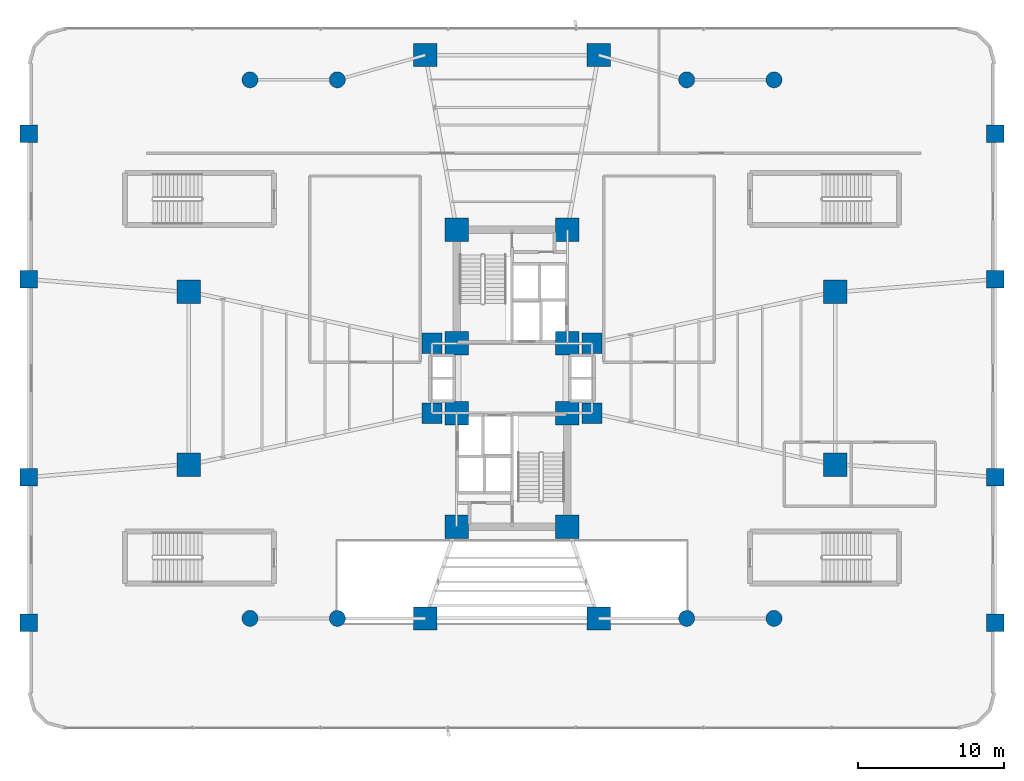
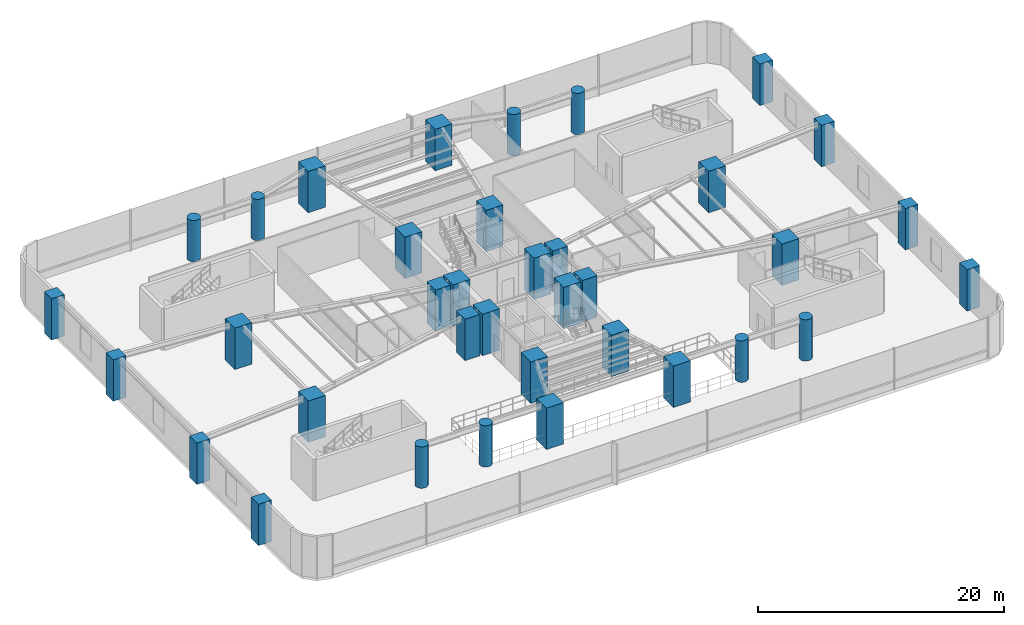
# One storey, part 1 of 23: 36 columns.
"""IFC4 building model written with IfcOpenShell, lengths in metres."""

from ifc_helpers import new_model, si_unit, direction, frame, origin, origin_2d, place, context, subcontext, project, spatial, rectangle, circle, extrude, source, transform, mapped, material, material_profile, profile_set, type_object, element, save


model = new_model("IFC4")

# Units and contexts
model_context = context("Model", 3, precision=1e-05, world=origin(), true_north=direction((0.0, 1.0)))
body_context = subcontext(model_context, "Body", "Model", "MODEL_VIEW")
ifc_project = project(units=[si_unit("LENGTHUNIT", "METRE"), si_unit("AREAUNIT", "SQUARE_METRE"), si_unit("VOLUMEUNIT", "CUBIC_METRE"), si_unit("PLANEANGLEUNIT", "RADIAN"), si_unit("MASSUNIT", "GRAM", prefix="KILO")], contexts=[model_context])

# Site, building, storey
site_placement = place(None, origin())
site = spatial("IfcSite", under=ifc_project, at=site_placement, CompositionType="ELEMENT")
building_placement = place(site_placement, origin())
building = spatial("IfcBuilding", under=site, at=building_placement, Name="Sahyath Konkavel Grand Hotel", CompositionType="ELEMENT")
storey_placement = place(building_placement, frame((0.0, 0.0, 4.800048828125)))
storey = spatial("IfcBuildingStorey", under=building, at=storey_placement, Name="L01", CompositionType="ELEMENT", Elevation=4.800048828125)

# Columns
ifc_material_1 = material(Name="Concrete C70/85", Category="concrete")
ifc_material_profile_1 = material_profile(ifc_material_1, rectangle(XDim=1.60009765625, YDim=1.60009765625, at=origin_2d()), Name="RC 1600x1600")
ifc_profile_set_1 = profile_set([ifc_material_profile_1], Name="Concrete C70/85")
column_type_1 = type_object("IfcColumnType", Name="COL-RC1600", PredefinedType="COLUMN", material=ifc_profile_set_1)
shared_shape_1 = source(origin(), body_context, "Body", "SweptSolid", [
    extrude(rectangle(XDim=1.60009765625, YDim=1.60009765625, at=origin_2d()), origin(), (0.0, 0.0, 1.0), 4.099853515625),
])
for number, where, z_axis, x_axis, name in (
    (1, (-3.800048828125, 2.39990234375, 0.0), (0.0, 0.0, 1.0), (1.0, 0.0, 0.0), "L01 Core Boundary Column NC-SW"),
    (2, (3.800048828125, 2.39990234375, 0.0), (0.0, 0.0, 1.0), (1.0, 0.0, 0.0), "L01 Core Boundary Column NC-SE"),
    (3, (-3.800048828125, 10.199951171875, 0.0), (0.0, 0.0, 1.0), (1.0, 0.0, 0.0), "L01 Core Boundary Column NC-NW"),
    (4, (3.800048828125, 10.199951171875, 0.0), (0.0, 0.0, 1.0), (1.0, 0.0, 0.0), "L01 Core Boundary Column NC-NE"),
    (5, (-3.800048828125, -2.39990234375, 0.0), (0.0, 0.0, 1.0), (1.0, 0.0, 0.0), "L01 Core Boundary Column SC-NW"),
    (6, (3.800048828125, -2.39990234375, 0.0), (0.0, 0.0, 1.0), (1.0, 0.0, 0.0), "L01 Core Boundary Column SC-NE"),
    (7, (-3.800048828125, -10.199951171875, 0.0), (0.0, 0.0, 1.0), (1.0, 0.0, 0.0), "L01 Core Boundary Column SC-SW"),
    (8, (3.800048828125, -10.199951171875, 0.0), (0.0, 0.0, 1.0), (1.0, 0.0, 0.0), "L01 Core Boundary Column SC-SE"),
    (9, (22.199951171875, -5.949951171875, 0.0), (0.0, 0.0, 1.0), (1.0, 0.0, 0.0), "L01 Ballroom Mega-Column MC-EA"),
    (10, (22.199951171875, 5.949951171875, 0.0), (0.0, 0.0, 1.0), (1.0, 0.0, 0.0), "L01 Ballroom Mega-Column MC-EB"),
    (11, (5.949951171875, 22.199951171875, 0.0), (0.0, 0.0, 1.0), (1.0, 0.0, 0.0), "L01 Ballroom Mega-Column MC-NA"),
    (12, (-5.949951171875, 22.199951171875, 0.0), (0.0, 0.0, 1.0), (1.0, 0.0, 0.0), "L01 Ballroom Mega-Column MC-NB"),
    (13, (-22.199951171875, 5.949951171875, 0.0), (0.0, 0.0, 1.0), (1.0, 0.0, 0.0), "L01 Ballroom Mega-Column MC-WA"),
    (14, (-22.199951171875, -5.949951171875, 0.0), (0.0, 0.0, 1.0), (1.0, 0.0, 0.0), "L01 Ballroom Mega-Column MC-WB"),
    (15, (-5.949951171875, -16.5, 0.0), (0.0, 0.0, 1.0), (1.0, 0.0, 0.0), "L01 Ballroom Mega-Column MC-SA"),
    (16, (5.949951171875, -16.5, 0.0), (0.0, 0.0, 1.0), (1.0, 0.0, 0.0), "L01 Ballroom Mega-Column MC-SB"),
):
    element("IfcColumn", number, at=place(storey_placement, frame(where, z_axis=z_axis, x_axis=x_axis)), inside=storey, type_object=column_type_1, Name=name, PredefinedType="COLUMN", context=body_context, shape_type="MappedRepresentation", body=[
        mapped(shared_shape_1, transform((0.0, 0.0, 0.0), scale=1.0)),
    ])
ifc_material_profile_2 = material_profile(ifc_material_1, rectangle(XDim=1.39990234375, YDim=1.39990234375, at=origin_2d()), Name="RC 1400x1400")
ifc_profile_set_2 = profile_set([ifc_material_profile_2], Name="Concrete C70/85")
column_type_2 = type_object("IfcColumnType", Name="COL-RC1400", PredefinedType="COLUMN", material=ifc_profile_set_2)
shared_shape_2 = source(origin(), body_context, "Body", "SweptSolid", [
    extrude(rectangle(XDim=1.39990234375, YDim=1.39990234375, at=origin_2d()), origin(), (0.0, 0.0, 1.0), 4.099853515625),
])
for number, where, z_axis, x_axis, name in (
    (17, (5.5, 2.39990234375, 0.0), (0.0, 0.0, 1.0), (1.0, 0.0, 0.0), "L01 Central Spine Column HB-NE"),
    (18, (-5.5, 2.39990234375, 0.0), (0.0, 0.0, 1.0), (1.0, 0.0, 0.0), "L01 Central Spine Column HB-NW"),
    (19, (5.5, -2.39990234375, 0.0), (0.0, 0.0, 1.0), (1.0, 0.0, 0.0), "L01 Central Spine Column HB-SE"),
    (20, (-5.5, -2.39990234375, 0.0), (0.0, 0.0, 1.0), (1.0, 0.0, 0.0), "L01 Central Spine Column HB-SW"),
):
    element("IfcColumn", number, at=place(storey_placement, frame(where, z_axis=z_axis, x_axis=x_axis)), inside=storey, type_object=column_type_2, Name=name, PredefinedType="COLUMN", context=body_context, shape_type="MappedRepresentation", body=[
        mapped(shared_shape_2, transform((0.0, 0.0, 0.0), scale=1.0)),
    ])
ifc_material_2 = material(Name="Concrete C50/60", Category="concrete")
ifc_material_profile_3 = material_profile(ifc_material_2, rectangle(XDim=1.199951171875, YDim=1.199951171875, at=origin_2d()), Name="RC 1200x1200")
ifc_profile_set_3 = profile_set([ifc_material_profile_3], Name="Concrete C50/60")
column_type_3 = type_object("IfcColumnType", Name="COL-RC1200", PredefinedType="COLUMN", material=ifc_profile_set_3)
shared_shape_3 = source(origin(), body_context, "Body", "SweptSolid", [
    extrude(rectangle(XDim=1.199951171875, YDim=1.199951171875, at=origin_2d()), origin(), (0.0, 0.0, 1.0), 4.099853515625),
])
for number, where, z_axis, x_axis, name in (
    (21, (33.199951171875, -16.800048828125, 0.0), (0.0, 0.0, 1.0), (1.0, 0.0, 0.0), "L01 Podium Perimeter Column PC-E1"),
    (22, (33.199951171875, -6.800048828125, 0.0), (0.0, 0.0, 1.0), (1.0, 0.0, 0.0), "L01 Podium Perimeter Column PC-E2"),
    (23, (33.199951171875, 6.800048828125, 0.0), (0.0, 0.0, 1.0), (1.0, 0.0, 0.0), "L01 Podium Perimeter Column PC-E3"),
    (24, (33.199951171875, 16.800048828125, 0.0), (0.0, 0.0, 1.0), (1.0, 0.0, 0.0), "L01 Podium Perimeter Column PC-E4"),
    (25, (-33.199951171875, -16.800048828125, 0.0), (0.0, 0.0, 1.0), (1.0, 0.0, 0.0), "L01 Podium Perimeter Column PC-W1"),
    (26, (-33.199951171875, -6.800048828125, 0.0), (0.0, 0.0, 1.0), (1.0, 0.0, 0.0), "L01 Podium Perimeter Column PC-W2"),
    (27, (-33.199951171875, 6.800048828125, 0.0), (0.0, 0.0, 1.0), (1.0, 0.0, 0.0), "L01 Podium Perimeter Column PC-W3"),
    (28, (-33.199951171875, 16.800048828125, 0.0), (0.0, 0.0, 1.0), (1.0, 0.0, 0.0), "L01 Podium Perimeter Column PC-W4"),
):
    element("IfcColumn", number, at=place(storey_placement, frame(where, z_axis=z_axis, x_axis=x_axis)), inside=storey, type_object=column_type_3, Name=name, PredefinedType="COLUMN", context=body_context, shape_type="MappedRepresentation", body=[
        mapped(shared_shape_3, transform((0.0, 0.0, 0.0), scale=1.0)),
    ])
ifc_material_profile_4 = material_profile(ifc_material_1, circle(Radius=0.550048828125, at=origin_2d()), Name="RC D1100")
ifc_profile_set_4 = profile_set([ifc_material_profile_4], Name="Concrete C70/85")
column_type_4 = type_object("IfcColumnType", Name="COL-RCD1100", PredefinedType="COLUMN", material=ifc_profile_set_4)
shared_shape_4 = source(origin(), body_context, "Body", "SweptSolid", [
    extrude(circle(Radius=0.550048828125, at=origin_2d()), origin(), (0.0, 0.0, 1.0), 4.099853515625),
])
for number, where, z_axis, x_axis, name in (
    (29, (-18.0, 20.5, 0.0), (0.0, 0.0, 1.0), (1.0, 0.0, 0.0), "L01 Sandstone Colonnade Pier CL-N1"),
    (30, (-12.0, 20.5, 0.0), (0.0, 0.0, 1.0), (1.0, 0.0, 0.0), "L01 Sandstone Colonnade Pier CL-N2"),
    (31, (12.0, 20.5, 0.0), (0.0, 0.0, 1.0), (1.0, 0.0, 0.0), "L01 Sandstone Colonnade Pier CL-N3"),
    (32, (18.0, 20.5, 0.0), (0.0, 0.0, 1.0), (1.0, 0.0, 0.0), "L01 Sandstone Colonnade Pier CL-N4"),
    (33, (-18.0, -16.5, 0.0), (0.0, 0.0, 1.0), (1.0, 0.0, 0.0), "L01 Sandstone Colonnade Pier CL-S1"),
    (34, (-12.0, -16.5, 0.0), (0.0, 0.0, 1.0), (1.0, 0.0, 0.0), "L01 Sandstone Colonnade Pier CL-S2"),
    (35, (12.0, -16.5, 0.0), (0.0, 0.0, 1.0), (1.0, 0.0, 0.0), "L01 Sandstone Colonnade Pier CL-S3"),
    (36, (18.0, -16.5, 0.0), (0.0, 0.0, 1.0), (1.0, 0.0, 0.0), "L01 Sandstone Colonnade Pier CL-S4"),
):
    element("IfcColumn", number, at=place(storey_placement, frame(where, z_axis=z_axis, x_axis=x_axis)), inside=storey, type_object=column_type_4, Name=name, PredefinedType="COLUMN", context=body_context, shape_type="MappedRepresentation", body=[
        mapped(shared_shape_4, transform((0.0, 0.0, 0.0), scale=1.0)),
    ])

save(model, "model.ifc")
